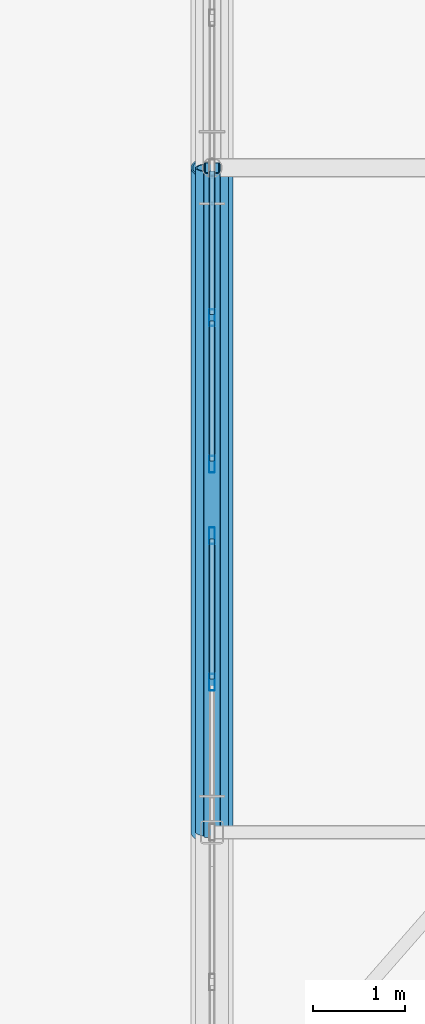
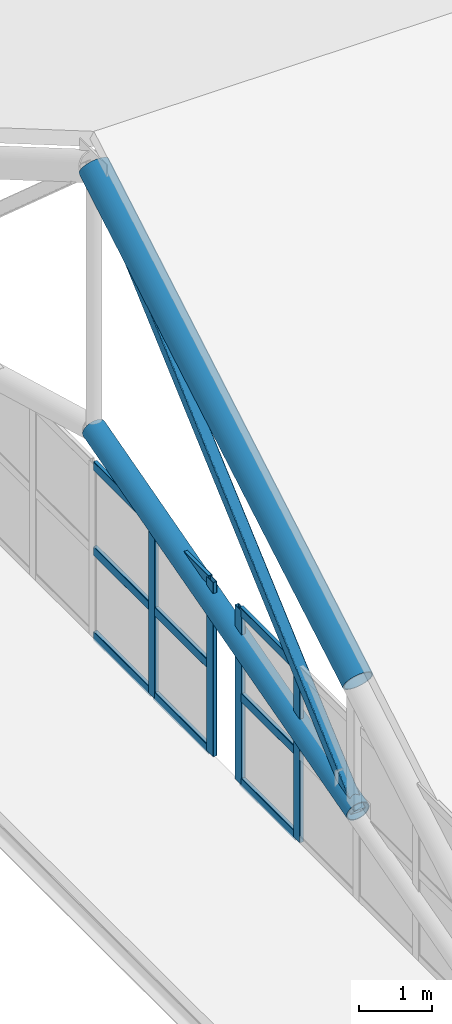
# One storey, part 4 of 54: 16 members, 2 elements without a shape of their own.
"""IFC4 building model written with IfcOpenShell, lengths in metres."""

from ifc_helpers import new_model, si_unit, direction, frame, origin, origin_2d, place, context, subcontext, project, spatial, hollow_rectangle, hollow_circle, extrude, material, layer, layer_set, material_profile, profile_set, type_object, element, aggregate, save


model = new_model("IFC4")

# Units and contexts
model_context = context("Model", 3, precision=1e-05, world=origin(), true_north=direction((0.0, 1.0)))
body_context = subcontext(model_context, "Body", "Model", "MODEL_VIEW")
ifc_project = project(units=[si_unit("LENGTHUNIT", "METRE"), si_unit("AREAUNIT", "SQUARE_METRE"), si_unit("VOLUMEUNIT", "CUBIC_METRE"), si_unit("PLANEANGLEUNIT", "RADIAN"), si_unit("MASSUNIT", "GRAM", prefix="KILO")], contexts=[model_context])

# Site, building, storey
site_placement = place(None, origin())
site = spatial("IfcSite", under=ifc_project, at=site_placement, CompositionType="ELEMENT")
building_placement = place(site_placement, origin())
building = spatial("IfcBuilding", under=site, at=building_placement, Name="Zulmaris Art Gallery", CompositionType="ELEMENT")
storey_placement = place(building_placement, frame((0.0, 0.0, 26.39990234375)))
storey = spatial("IfcBuildingStorey", under=building, at=storey_placement, Name="L05", CompositionType="ELEMENT", Elevation=26.39990234375)

# Curtain wall, members
ifc_material_1 = material(Name="Pitched Roof North-Light Clerestory Wall", Category="aluminium")
ifc_layer = layer(ifc_material_1, 0.179931640625)
ifc_layer_set = layer_set([ifc_layer], Name="Pitched Roof North-Light Clerestory Wall")
curtain_wall_type = type_object("IfcCurtainWallType", Name="CW-CW05", PredefinedType="NOTDEFINED", material=ifc_layer_set)
curtain_wall_1_placement = place(storey_placement, origin())
curtain_wall_1 = element("IfcCurtainWall", 1, at=curtain_wall_1_placement, inside=storey, type_object=curtain_wall_type, Name="L05 curtain wall 38", PredefinedType="NOTDEFINED")
ifc_material_2 = material(Name="Anodised Bronze Aluminium", Category="aluminium")
ifc_material_profile_1 = material_profile(ifc_material_2, hollow_rectangle(XDim=0.06494140625, YDim=0.179931640625, WallThickness=0.00390625, InnerFilletRadius=0.006103515625, OuterFilletRadius=0.010009765625, at=origin_2d()), Name="ALU 65x180x4")
ifc_profile_set_1 = profile_set([ifc_material_profile_1], Name="Anodised Bronze Aluminium")
member_type_1 = type_object("IfcMemberType", Name="CWMUL-01", PredefinedType="MULLION", material=ifc_profile_set_1)
member_1_placement = place(storey_placement, frame((11.39990234375, 30.425048828125, 0.0), z_axis=(0.0, 0.0, 1.0), x_axis=(-1.0, 0.0, 0.0)))
member_1 = element("IfcMember", 2, at=member_1_placement, type_object=member_type_1, Name="CW05 mullion 4", PredefinedType="MULLION", context=body_context, shape_type="SweptSolid", body=[
    extrude(hollow_rectangle(XDim=0.06494140625, YDim=0.179931640625, WallThickness=0.00390625, InnerFilletRadius=0.006103515625, OuterFilletRadius=0.010009765625, at=origin_2d()), origin(), (0.0, 0.0, 1.0), 2.900146484375),
])
member_2_placement = place(storey_placement, frame((11.39990234375, 32.012451171875, 0.0), z_axis=(0.0, 0.0, 1.0), x_axis=(-1.0, 0.0, 0.0)))
member_2 = element("IfcMember", 3, at=member_2_placement, type_object=member_type_1, Name="CW05 mullion 5", PredefinedType="MULLION", context=body_context, shape_type="SweptSolid", body=[
    extrude(hollow_rectangle(XDim=0.06494140625, YDim=0.179931640625, WallThickness=0.00390625, InnerFilletRadius=0.006103515625, OuterFilletRadius=0.010009765625, at=origin_2d()), origin(), (0.0, 0.0, 1.0), 2.900146484375),
])

curtain_wall_2_placement = place(storey_placement, origin())
curtain_wall_2 = element("IfcCurtainWall", 4, at=curtain_wall_2_placement, inside=storey, type_object=curtain_wall_type, Name="L05 curtain wall 39", PredefinedType="NOTDEFINED")
member_3_placement = place(storey_placement, frame((11.39990234375, 32.78759765625, 0.0), z_axis=(0.0, 0.0, 1.0), x_axis=(-1.0, 0.0, 0.0)))
member_3 = element("IfcMember", 5, at=member_3_placement, type_object=member_type_1, Name="CW05 mullion 1", PredefinedType="MULLION", context=body_context, shape_type="SweptSolid", body=[
    extrude(hollow_rectangle(XDim=0.06494140625, YDim=0.179931640625, WallThickness=0.00390625, InnerFilletRadius=0.006103515625, OuterFilletRadius=0.010009765625, at=origin_2d()), origin(), (0.0, 0.0, 1.0), 2.900146484375),
])
member_4_placement = place(storey_placement, frame((11.39990234375, 34.375, 0.0), z_axis=(0.0, 0.0, 1.0), x_axis=(-1.0, 0.0, 0.0)))
member_4 = element("IfcMember", 6, at=member_4_placement, type_object=member_type_1, Name="CW05 mullion 2", PredefinedType="MULLION", context=body_context, shape_type="SweptSolid", body=[
    extrude(hollow_rectangle(XDim=0.06494140625, YDim=0.179931640625, WallThickness=0.00390625, InnerFilletRadius=0.006103515625, OuterFilletRadius=0.010009765625, at=origin_2d()), origin(), (0.0, 0.0, 1.0), 2.900146484375),
])

# Member
ifc_material_profile_2 = material_profile(ifc_material_2, hollow_rectangle(XDim=0.06494140625, YDim=0.14990234375, WallThickness=0.00390625, InnerFilletRadius=0.006103515625, OuterFilletRadius=0.010009765625, at=origin_2d()), Name="ALU 65x150x4")
ifc_profile_set_2 = profile_set([ifc_material_profile_2], Name="Anodised Bronze Aluminium")
member_type_2 = type_object("IfcMemberType", Name="CWTRN-01", PredefinedType="USERDEFINED", material=ifc_profile_set_2)
member_5_placement = place(storey_placement, frame((11.39990234375, 30.46240234375, 0.03759765625), z_axis=(0.0, 1.0, 0.0), x_axis=(-1.0, 0.0, 0.0)))
member_5 = element("IfcMember", 7, at=member_5_placement, type_object=member_type_2, Name="CW05 transom 4.1", ObjectType="TRANSOM", PredefinedType="USERDEFINED", context=body_context, shape_type="SweptSolid", body=[
    extrude(hollow_rectangle(XDim=0.06494140625, YDim=0.14990234375, WallThickness=0.00390625, InnerFilletRadius=0.006103515625, OuterFilletRadius=0.010009765625, at=origin_2d()), origin(), (0.0, 0.0, 1.0), 1.5126953125),
])

member_6_placement = place(storey_placement, frame((11.39990234375, 30.46240234375, 1.4501953125), z_axis=(0.0, 1.0, 0.0), x_axis=(-1.0, 0.0, 0.0)))
member_6 = element("IfcMember", 8, at=member_6_placement, type_object=member_type_2, Name="CW05 transom 4.2", ObjectType="TRANSOM", PredefinedType="USERDEFINED", context=body_context, shape_type="SweptSolid", body=[
    extrude(hollow_rectangle(XDim=0.06494140625, YDim=0.14990234375, WallThickness=0.00390625, InnerFilletRadius=0.006103515625, OuterFilletRadius=0.010009765625, at=origin_2d()), origin(), (0.0, 0.0, 1.0), 1.5126953125),
])

member_7_placement = place(storey_placement, frame((11.39990234375, 30.46240234375, 2.862548828125), z_axis=(0.0, 1.0, 0.0), x_axis=(-1.0, 0.0, 0.0)))
member_7 = element("IfcMember", 9, at=member_7_placement, type_object=member_type_2, Name="CW05 transom 4.3", ObjectType="TRANSOM", PredefinedType="USERDEFINED", context=body_context, shape_type="SweptSolid", body=[
    extrude(hollow_rectangle(XDim=0.06494140625, YDim=0.14990234375, WallThickness=0.00390625, InnerFilletRadius=0.006103515625, OuterFilletRadius=0.010009765625, at=origin_2d()), origin(), (0.0, 0.0, 1.0), 1.5126953125),
])

aggregate(curtain_wall_1, [member_1, member_2, member_5, member_6, member_7])

member_8_placement = place(storey_placement, frame((11.39990234375, 32.824951171875, 0.03759765625), z_axis=(0.0, 1.0, 0.0), x_axis=(-1.0, 0.0, 0.0)))
member_8 = element("IfcMember", 10, at=member_8_placement, type_object=member_type_2, Name="CW05 transom 1.1", ObjectType="TRANSOM", PredefinedType="USERDEFINED", context=body_context, shape_type="SweptSolid", body=[
    extrude(hollow_rectangle(XDim=0.06494140625, YDim=0.14990234375, WallThickness=0.00390625, InnerFilletRadius=0.006103515625, OuterFilletRadius=0.010009765625, at=origin_2d()), origin(), (0.0, 0.0, 1.0), 1.512451171875),
])

member_9_placement = place(storey_placement, frame((11.39990234375, 32.824951171875, 1.4501953125), z_axis=(0.0, 1.0, 0.0), x_axis=(-1.0, 0.0, 0.0)))
member_9 = element("IfcMember", 11, at=member_9_placement, type_object=member_type_2, Name="CW05 transom 1.2", ObjectType="TRANSOM", PredefinedType="USERDEFINED", context=body_context, shape_type="SweptSolid", body=[
    extrude(hollow_rectangle(XDim=0.06494140625, YDim=0.14990234375, WallThickness=0.00390625, InnerFilletRadius=0.006103515625, OuterFilletRadius=0.010009765625, at=origin_2d()), origin(), (0.0, 0.0, 1.0), 1.512451171875),
])

member_10_placement = place(storey_placement, frame((11.39990234375, 32.824951171875, 2.862548828125), z_axis=(0.0, 1.0, 0.0), x_axis=(-1.0, 0.0, 0.0)))
member_10 = element("IfcMember", 12, at=member_10_placement, type_object=member_type_2, Name="CW05 transom 1.3", ObjectType="TRANSOM", PredefinedType="USERDEFINED", context=body_context, shape_type="SweptSolid", body=[
    extrude(hollow_rectangle(XDim=0.06494140625, YDim=0.14990234375, WallThickness=0.00390625, InnerFilletRadius=0.006103515625, OuterFilletRadius=0.010009765625, at=origin_2d()), origin(), (0.0, 0.0, 1.0), 1.512451171875),
])

member_11_placement = place(storey_placement, frame((11.39990234375, 34.41259765625, 0.03759765625), z_axis=(0.0, 1.0, 0.0), x_axis=(-1.0, 0.0, 0.0)))
member_11 = element("IfcMember", 13, at=member_11_placement, type_object=member_type_2, Name="CW05 transom 2.1", ObjectType="TRANSOM", PredefinedType="USERDEFINED", context=body_context, shape_type="SweptSolid", body=[
    extrude(hollow_rectangle(XDim=0.06494140625, YDim=0.14990234375, WallThickness=0.00390625, InnerFilletRadius=0.006103515625, OuterFilletRadius=0.010009765625, at=origin_2d()), origin(), (0.0, 0.0, 1.0), 1.5498046875),
])

member_12_placement = place(storey_placement, frame((11.39990234375, 34.41259765625, 1.4501953125), z_axis=(0.0, 1.0, 0.0), x_axis=(-1.0, 0.0, 0.0)))
member_12 = element("IfcMember", 14, at=member_12_placement, type_object=member_type_2, Name="CW05 transom 2.2", ObjectType="TRANSOM", PredefinedType="USERDEFINED", context=body_context, shape_type="SweptSolid", body=[
    extrude(hollow_rectangle(XDim=0.06494140625, YDim=0.14990234375, WallThickness=0.00390625, InnerFilletRadius=0.006103515625, OuterFilletRadius=0.010009765625, at=origin_2d()), origin(), (0.0, 0.0, 1.0), 1.5498046875),
])

member_13_placement = place(storey_placement, frame((11.39990234375, 34.41259765625, 2.862548828125), z_axis=(0.0, 1.0, 0.0), x_axis=(-1.0, 0.0, 0.0)))
member_13 = element("IfcMember", 15, at=member_13_placement, type_object=member_type_2, Name="CW05 transom 2.3", ObjectType="TRANSOM", PredefinedType="USERDEFINED", context=body_context, shape_type="SweptSolid", body=[
    extrude(hollow_rectangle(XDim=0.06494140625, YDim=0.14990234375, WallThickness=0.00390625, InnerFilletRadius=0.006103515625, OuterFilletRadius=0.010009765625, at=origin_2d()), origin(), (0.0, 0.0, 1.0), 1.5498046875),
])

aggregate(curtain_wall_2, [member_3, member_4, member_8, member_9, member_10, member_11, member_12, member_13])

# Members
ifc_material_3 = material(Name="Steel S355J2H", Category="steel")
ifc_material_profile_3 = material_profile(ifc_material_3, hollow_rectangle(XDim=0.179931640625, YDim=0.179931640625, WallThickness=0.010009765625, InnerFilletRadius=0.014892578125, OuterFilletRadius=0.02490234375, at=origin_2d()), Name="SHS 180x180x10")
ifc_profile_set_3 = profile_set([ifc_material_profile_3], Name="Steel S355J2H")
member_type_3 = type_object("IfcMemberType", Name="MEM-TB05", PredefinedType="BRACE", material=ifc_profile_set_3)
member_14_placement = place(storey_placement, frame((11.39990234375, 28.800048828125, 1.4501953125), z_axis=(0.0, 0.748961175261, 0.662613883006), x_axis=(-1.0, 0.0, 0.0)))
element("IfcMember", 16, at=member_14_placement, inside=storey, type_object=member_type_3, Name="Pitched gallery truss TR-R01 diagonal 2", PredefinedType="BRACE", context=body_context, shape_type="SweptSolid", body=[
    extrude(hollow_rectangle(XDim=0.179931640625, YDim=0.179931640625, WallThickness=0.010009765625, InnerFilletRadius=0.014892578125, OuterFilletRadius=0.02490234375, at=origin_2d()), origin(), (0.0, 0.0, 1.0), 9.61328125),
])
ifc_material_profile_4 = material_profile(ifc_material_3, hollow_circle(Radius=0.177734375, WallThickness=0.01611328125, at=origin_2d()), Name="CHS 355.6x16")
ifc_profile_set_4 = profile_set([ifc_material_profile_4], Name="Steel S355J2H")
member_type_4 = type_object("IfcMemberType", Name="MEM-TC01", PredefinedType="CHORD", material=ifc_profile_set_4)
member_15_placement = place(storey_placement, frame((11.39990234375, 28.800048828125, 1.4501953125), z_axis=(0.0, 0.963517441554, 0.267645548853), x_axis=(-1.0, 0.0, 0.0)))
element("IfcMember", 17, at=member_15_placement, inside=storey, type_object=member_type_4, Name="Pitched gallery truss TR-R01 bottom chord 2", PredefinedType="CHORD", context=body_context, shape_type="SweptSolid", body=[
    extrude(hollow_circle(Radius=0.177734375, WallThickness=0.01611328125, at=origin_2d()), origin(), (0.0, 0.0, 1.0), 7.47265625),
])
ifc_material_profile_5 = material_profile(ifc_material_3, hollow_circle(Radius=0.228515625, WallThickness=0.02001953125, at=origin_2d()), Name="CHS 457x20")
ifc_profile_set_5 = profile_set([ifc_material_profile_5], Name="Steel S355J2H")
member_type_5 = type_object("IfcMemberType", Name="MEM-TC03", PredefinedType="CHORD", material=ifc_profile_set_5)
member_16_placement = place(storey_placement, frame((11.39990234375, 28.800048828125, 3.6201171875), z_axis=(0.0, 0.863779963214, 0.503869204407), x_axis=(-1.0, 0.0, 0.0)))
element("IfcMember", 18, at=member_16_placement, inside=storey, type_object=member_type_5, Name="Pitched gallery truss TR-R01 top chord 2", PredefinedType="CHORD", context=body_context, shape_type="SweptSolid", body=[
    extrude(hollow_circle(Radius=0.228515625, WallThickness=0.02001953125, at=origin_2d()), origin(), (0.0, 0.0, 1.0), 8.33544921875),
])

save(model, "model.ifc")
